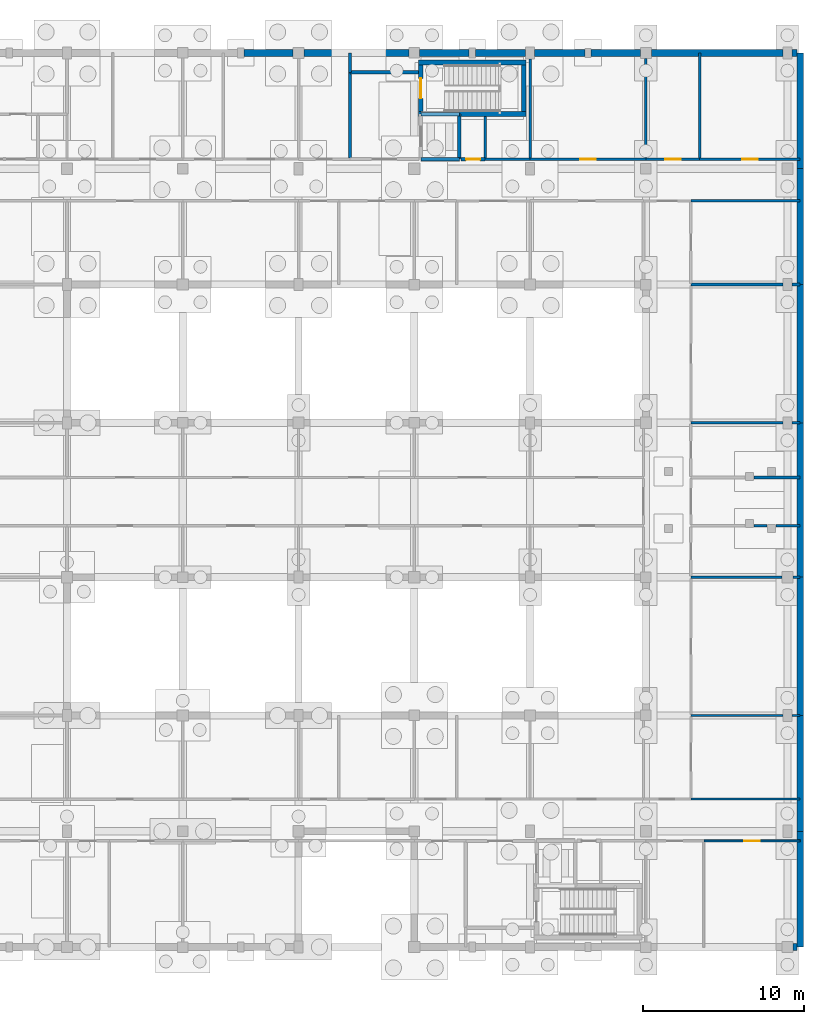
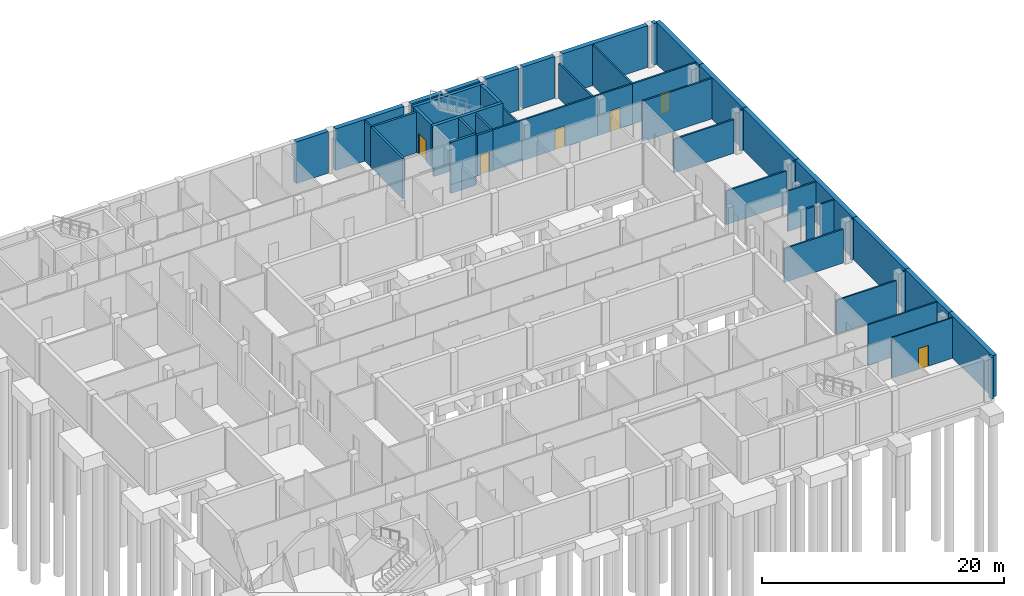
# One storey, part 14 of 17: 51 walls, 6 doors, 6 openings.
"""IFC4 building model written with IfcOpenShell, lengths in metres."""

from ifc_helpers import new_model, si_unit, direction, frame, frame_2d, origin, place, context, subcontext, project, spatial, rectangle, extrude, material, layer, layer_set, type_object, element, fill, save


model = new_model("IFC4")

# Units and contexts
model_context = context("Model", 3, precision=1e-05, world=origin(), true_north=direction((0.0, 1.0)))
body_context = subcontext(model_context, "Body", "Model", "MODEL_VIEW")
ifc_project = project(units=[si_unit("LENGTHUNIT", "METRE"), si_unit("AREAUNIT", "SQUARE_METRE"), si_unit("VOLUMEUNIT", "CUBIC_METRE"), si_unit("PLANEANGLEUNIT", "RADIAN"), si_unit("MASSUNIT", "GRAM", prefix="KILO")], contexts=[model_context])

# Site, building, storey
site_placement = place(None, origin())
site = spatial("IfcSite", under=ifc_project, at=site_placement, CompositionType="ELEMENT")
building_placement = place(site_placement, origin())
building = spatial("IfcBuilding", under=site, at=building_placement, Name="Hawrajan Terrace Health Centre", CompositionType="ELEMENT")
storey_placement = place(building_placement, frame((0.0, 0.0, -4.5)))
storey = spatial("IfcBuildingStorey", under=building, at=storey_placement, Name="B1", CompositionType="ELEMENT", Elevation=-4.5)

# Walls
ifc_material_1 = material(Name="Gypsum board on acoustic stud framing")
ifc_layer_1 = layer(ifc_material_1, 0.139892578125)
ifc_layer_set_1 = layer_set([ifc_layer_1], Name="Gypsum board on acoustic stud framing")
wall_type_1 = type_object("IfcWallType", Name="ClinicalAcousticWall_140", PredefinedType="PARTITIONING", material=ifc_layer_set_1)
wall_1_placement = place(storey_placement, frame((65.0, 13.39990234375, 0.0), z_axis=(0.0, 0.0, 1.0), x_axis=(1.0, 0.0, 0.0)))
element("IfcWall", 1, at=wall_1_placement, inside=storey, type_object=wall_type_1, Name="Interior wall IW-B1-0146", PredefinedType="PARTITIONING", context=body_context, shape_type="SweptSolid", body=[
    extrude(rectangle(XDim=6.794921875, YDim=0.139892578125, at=frame_2d((3.3974609375, 0.0))), origin(), (0.0, 0.0, 1.0), 4.080078125),
])
wall_2_placement = place(storey_placement, frame((65.0, 18.60009765625, 0.0), z_axis=(0.0, 0.0, 1.0), x_axis=(1.0, 0.0, 0.0)))
element("IfcWall", 2, at=wall_2_placement, inside=storey, type_object=wall_type_1, Name="Interior wall IW-B1-0148", PredefinedType="PARTITIONING", context=body_context, shape_type="SweptSolid", body=[
    extrude(rectangle(XDim=5.72509765625, YDim=0.139892578125, at=frame_2d((2.862548828125, 0.0))), origin(), (0.0, 0.0, 1.0), 3.39990234375),
])
wall_3_placement = place(storey_placement, frame((71.27490234375, 18.60009765625, 0.0), z_axis=(0.0, 0.0, 1.0), x_axis=(1.0, 0.0, 0.0)))
element("IfcWall", 3, at=wall_3_placement, inside=storey, type_object=wall_type_1, Name="Interior wall IW-B1-0149", PredefinedType="PARTITIONING", context=body_context, shape_type="SweptSolid", body=[
    extrude(rectangle(XDim=0.52001953125, YDim=0.139892578125, at=frame_2d((0.260009765625, 0.0))), origin(), (0.0, 0.0, 1.0), 4.080078125),
])
ifc_material_2 = material(Name="Concrete C40/50", Category="concrete")
ifc_layer_2 = layer(ifc_material_2, 0.300048828125)
ifc_layer_set_2 = layer_set([ifc_layer_2], Name="Concrete C40/50")
wall_type_2 = type_object("IfcWallType", Name="CoreShearWall_RC300", PredefinedType="SHEAR", material=ifc_layer_set_2)
for number, where, z_axis, x_axis, name in (
    (4, (48.050048828125, 56.0, 0.0), (0.0, 0.0, 1.0), (1.0, 0.0, 0.0), "Core shear wall SW-C2-B1-S"),
    (5, (48.050048828125, 59.199951171875, 0.0), (0.0, 0.0, 1.0), (1.0, 0.0, 0.0), "Core shear wall SW-C2-B1-N"),
):
    element("IfcWall", number, at=place(storey_placement, frame(where, z_axis=z_axis, x_axis=x_axis)), inside=storey, type_object=wall_type_2, Name=name, PredefinedType="SHEAR", context=body_context, shape_type="SweptSolid", body=[
        extrude(rectangle(XDim=6.699951171875, YDim=0.300048828125, at=frame_2d((3.35009765625, 0.0))), origin(), (0.0, 0.0, 1.0), 4.25),
    ])

# Wall, opening, door
wall_4_placement = place(storey_placement, frame((48.199951171875, 56.14990234375, 0.0), z_axis=(0.0, 0.0, 1.0), x_axis=(0.0, 1.0, 0.0)))
wall_4 = element("IfcWall", 6, at=wall_4_placement, inside=storey, type_object=wall_type_2, Name="Core shear wall SW-C2-B1-W", PredefinedType="SHEAR", context=body_context, shape_type="SweptSolid", body=[
    extrude(rectangle(XDim=2.900146484375, YDim=0.300048828125, at=frame_2d((1.4501953125, 0.0))), origin(), (0.0, 0.0, 1.0), 4.25),
])
opening_1_placement = place(wall_4_placement, frame((0.824951171875, 0.0, 0.0)))
opening_1 = element("IfcOpeningElement", 7, at=opening_1_placement, cuts=wall_4, Name="Opening D-B1-002", PredefinedType="OPENING", context=body_context, shape_type="SweptSolid", body=[
    extrude(rectangle(XDim=1.25, YDim=2.14990234375, at=frame_2d((0.625, 1.074951171875))), frame((0.0, 0.159912109375, 0.0), z_axis=(0.0, -1.0, 0.0), x_axis=(1.0, 0.0, 0.0)), (0.0, 0.0, 1.0), 0.320068359375),
])
ifc_material_3 = material(Name="Timber-veneered acoustic fire-resisting door assembly", Category="wood")
door_type_1 = type_object("IfcDoorType", Name="CoreStairDoor_1250x2150", OperationType="NOTDEFINED", PredefinedType="DOOR", material=ifc_material_3)
door_1_placement = place(opening_1_placement, origin())
door_1 = element("IfcDoor", 8, at=door_1_placement, inside=storey, type_object=door_type_1, Name="Interior door D-B1-002", OperationType="SINGLE_SWING_RIGHT", OverallHeight=2.14990234375, OverallWidth=1.25, PredefinedType="DOOR", context=body_context, shape_type="SweptSolid", body=[
    extrude(rectangle(XDim=1.25, YDim=2.14990234375, at=frame_2d((0.625, 1.074951171875))), frame((0.0, 0.02490234375, 0.0), z_axis=(0.0, -1.0, 0.0), x_axis=(1.0, 0.0, 0.0)), (0.0, 0.0, 1.0), 0.050048828125),
])
fill(opening_1, door_1)

# Wall
wall_5_placement = place(storey_placement, frame((54.60009765625, 56.14990234375, 0.0), z_axis=(0.0, 0.0, 1.0), x_axis=(0.0, 1.0, 0.0)))
element("IfcWall", 9, at=wall_5_placement, inside=storey, type_object=wall_type_2, Name="Core shear wall SW-C2-B1-E", PredefinedType="SHEAR", context=body_context, shape_type="SweptSolid", body=[
    extrude(rectangle(XDim=2.900146484375, YDim=0.300048828125, at=frame_2d((1.4501953125, 0.0))), origin(), (0.0, 0.0, 1.0), 4.25),
])

# Wall, opening, door
ifc_layer_3 = layer(ifc_material_1, 0.159912109375)
ifc_layer_set_3 = layer_set([ifc_layer_3], Name="Gypsum board on acoustic stud framing")
wall_type_3 = type_object("IfcWallType", Name="CorridorFireWall_160", PredefinedType="PARTITIONING", material=ifc_layer_set_3)
wall_6_placement = place(storey_placement, frame((55.0, 53.199951171875, 0.0), z_axis=(0.0, 0.0, 1.0), x_axis=(1.0, 0.0, 0.0)))
wall_6 = element("IfcWall", 10, at=wall_6_placement, inside=storey, type_object=wall_type_3, Name="Interior wall IW-B1-0133", PredefinedType="PARTITIONING", context=body_context, shape_type="SweptSolid", body=[
    extrude(rectangle(XDim=7.199951171875, YDim=0.159912109375, at=frame_2d((3.60009765625, 0.0))), origin(), (0.0, 0.0, 1.0), 4.080078125),
])
opening_2_placement = place(wall_6_placement, frame((3.1201171875, 0.0, 0.0)))
opening_2 = element("IfcOpeningElement", 11, at=opening_2_placement, cuts=wall_6, Name="Opening D-B1-064", PredefinedType="OPENING", context=body_context, shape_type="SweptSolid", body=[
    extrude(rectangle(XDim=0.9599609375, YDim=2.10009765625, at=frame_2d((0.47998046875, 1.050048828125))), frame((0.0, 0.08984375, 0.0), z_axis=(0.0, -1.0, 0.0), x_axis=(1.0, 0.0, 0.0)), (0.0, 0.0, 1.0), 0.179931640625),
])
door_type_2 = type_object("IfcDoorType", Name="ClinicalFireDoor_960x2100", OperationType="NOTDEFINED", PredefinedType="DOOR", material=ifc_material_3)
door_2_placement = place(opening_2_placement, origin())
door_2 = element("IfcDoor", 12, at=door_2_placement, inside=storey, type_object=door_type_2, Name="Interior door D-B1-064", OperationType="SINGLE_SWING_RIGHT", OverallHeight=2.10009765625, OverallWidth=0.9599609375, PredefinedType="DOOR", context=body_context, shape_type="SweptSolid", body=[
    extrude(rectangle(XDim=0.9599609375, YDim=2.10009765625, at=frame_2d((0.47998046875, 1.050048828125))), frame((0.0, 0.02490234375, 0.0), z_axis=(0.0, -1.0, 0.0), x_axis=(1.0, 0.0, 0.0)), (0.0, 0.0, 1.0), 0.050048828125),
])
fill(opening_2, door_2)

# Wall
wall_7_placement = place(storey_placement, frame((62.199951171875, 53.27001953125, 0.0), z_axis=(0.0, 0.0, 1.0), x_axis=(0.0, 1.0, 0.0)))
element("IfcWall", 13, at=wall_7_placement, inside=storey, type_object=wall_type_3, Name="Interior wall IW-B1-0143", PredefinedType="PARTITIONING", context=body_context, shape_type="SweptSolid", body=[
    extrude(rectangle(XDim=6.179931640625, YDim=0.159912109375, at=frame_2d((3.08984375, 0.0))), origin(), (0.0, 0.0, 1.0), 3.5),
])

# Wall, opening, door
wall_8_placement = place(storey_placement, frame((62.199951171875, 53.199951171875, 0.0), z_axis=(0.0, 0.0, 1.0), x_axis=(1.0, 0.0, 0.0)))
wall_8 = element("IfcWall", 14, at=wall_8_placement, inside=storey, type_object=wall_type_3, Name="Interior wall IW-B1-0144", PredefinedType="PARTITIONING", context=body_context, shape_type="SweptSolid", body=[
    extrude(rectangle(XDim=3.34912109375, YDim=0.159912109375, at=frame_2d((1.674560546875, 0.0))), origin(), (0.0, 0.0, 1.0), 4.080078125),
])
opening_3_placement = place(wall_8_placement, frame((1.194580078125, 0.0, 0.0)))
opening_3 = element("IfcOpeningElement", 15, at=opening_3_placement, cuts=wall_8, Name="Opening D-B1-066", PredefinedType="OPENING", context=body_context, shape_type="SweptSolid", body=[
    extrude(rectangle(XDim=0.9599609375, YDim=2.10009765625, at=frame_2d((0.47998046875, 1.050048828125))), frame((0.0, 0.08984375, 0.0), z_axis=(0.0, -1.0, 0.0), x_axis=(1.0, 0.0, 0.0)), (0.0, 0.0, 1.0), 0.179931640625),
])
door_3_placement = place(opening_3_placement, origin())
door_3 = element("IfcDoor", 16, at=door_3_placement, inside=storey, type_object=door_type_2, Name="Interior door D-B1-066", OperationType="SINGLE_SWING_RIGHT", OverallHeight=2.10009765625, OverallWidth=0.9599609375, PredefinedType="DOOR", context=body_context, shape_type="SweptSolid", body=[
    extrude(rectangle(XDim=0.9599609375, YDim=2.10009765625, at=frame_2d((0.47998046875, 1.050048828125))), frame((0.0, 0.02490234375, 0.0), z_axis=(0.0, -1.0, 0.0), x_axis=(1.0, 0.0, 0.0)), (0.0, 0.0, 1.0), 0.050048828125),
])
fill(opening_3, door_3)

# Walls
wall_9_placement = place(storey_placement, frame((65.0, 27.199951171875, 0.0), z_axis=(0.0, 0.0, 1.0), x_axis=(1.0, 0.0, 0.0)))
element("IfcWall", 17, at=wall_9_placement, inside=storey, type_object=wall_type_3, Name="Interior wall IW-B1-0151", PredefinedType="PARTITIONING", context=body_context, shape_type="SweptSolid", body=[
    extrude(rectangle(XDim=5.64990234375, YDim=0.159912109375, at=frame_2d((2.824951171875, 0.0))), origin(), (0.0, 0.0, 1.0), 3.39990234375),
])
wall_10_placement = place(storey_placement, frame((71.35009765625, 27.199951171875, 0.0), z_axis=(0.0, 0.0, 1.0), x_axis=(1.0, 0.0, 0.0)))
element("IfcWall", 18, at=wall_10_placement, inside=storey, type_object=wall_type_3, Name="Interior wall IW-B1-0152", PredefinedType="PARTITIONING", context=body_context, shape_type="SweptSolid", body=[
    extrude(rectangle(XDim=0.44482421875, YDim=0.159912109375, at=frame_2d((0.222412109375, 0.0))), origin(), (0.0, 0.0, 1.0), 4.080078125),
])
wall_11_placement = place(storey_placement, frame((68.929931640625, 30.39990234375, 0.0), z_axis=(0.0, 0.0, 1.0), x_axis=(1.0, 0.0, 0.0)))
element("IfcWall", 19, at=wall_11_placement, inside=storey, type_object=wall_type_3, Name="Interior wall IW-B1-0155", PredefinedType="PARTITIONING", context=body_context, shape_type="SweptSolid", body=[
    extrude(rectangle(XDim=0.7900390625, YDim=0.159912109375, at=frame_2d((0.39501953125, 0.0))), origin(), (0.0, 0.0, 1.0), 4.080078125),
])
wall_12_placement = place(storey_placement, frame((70.280029296875, 30.39990234375, 0.0), z_axis=(0.0, 0.0, 1.0), x_axis=(1.0, 0.0, 0.0)))
element("IfcWall", 20, at=wall_12_placement, inside=storey, type_object=wall_type_3, Name="Interior wall IW-B1-0156", PredefinedType="PARTITIONING", context=body_context, shape_type="SweptSolid", body=[
    extrude(rectangle(XDim=1.514892578125, YDim=0.159912109375, at=frame_2d((0.75732421875, 0.0))), origin(), (0.0, 0.0, 1.0), 4.080078125),
])
wall_13_placement = place(storey_placement, frame((68.929931640625, 33.39990234375, 0.0), z_axis=(0.0, 0.0, 1.0), x_axis=(1.0, 0.0, 0.0)))
element("IfcWall", 21, at=wall_13_placement, inside=storey, type_object=wall_type_3, Name="Interior wall IW-B1-0159", PredefinedType="PARTITIONING", context=body_context, shape_type="SweptSolid", body=[
    extrude(rectangle(XDim=2.864990234375, YDim=0.159912109375, at=frame_2d((1.4326171875, 0.0))), origin(), (0.0, 0.0, 1.0), 4.080078125),
])
wall_14_placement = place(storey_placement, frame((65.0, 36.800048828125, 0.0), z_axis=(0.0, 0.0, 1.0), x_axis=(1.0, 0.0, 0.0)))
element("IfcWall", 22, at=wall_14_placement, inside=storey, type_object=wall_type_3, Name="Interior wall IW-B1-0161", PredefinedType="PARTITIONING", context=body_context, shape_type="SweptSolid", body=[
    extrude(rectangle(XDim=5.72509765625, YDim=0.159912109375, at=frame_2d((2.862548828125, 0.0))), origin(), (0.0, 0.0, 1.0), 3.39990234375),
])
wall_15_placement = place(storey_placement, frame((71.27490234375, 36.800048828125, 0.0), z_axis=(0.0, 0.0, 1.0), x_axis=(1.0, 0.0, 0.0)))
element("IfcWall", 23, at=wall_15_placement, inside=storey, type_object=wall_type_3, Name="Interior wall IW-B1-0162", PredefinedType="PARTITIONING", context=body_context, shape_type="SweptSolid", body=[
    extrude(rectangle(XDim=0.52001953125, YDim=0.159912109375, at=frame_2d((0.260009765625, 0.0))), origin(), (0.0, 0.0, 1.0), 4.080078125),
])
wall_16_placement = place(storey_placement, frame((65.0, 45.39990234375, 0.0), z_axis=(0.0, 0.0, 1.0), x_axis=(1.0, 0.0, 0.0)))
element("IfcWall", 24, at=wall_16_placement, inside=storey, type_object=wall_type_3, Name="Interior wall IW-B1-0164", PredefinedType="PARTITIONING", context=body_context, shape_type="SweptSolid", body=[
    extrude(rectangle(XDim=5.72509765625, YDim=0.159912109375, at=frame_2d((2.862548828125, 0.0))), origin(), (0.0, 0.0, 1.0), 3.39990234375),
])
wall_17_placement = place(storey_placement, frame((71.27490234375, 45.39990234375, 0.0), z_axis=(0.0, 0.0, 1.0), x_axis=(1.0, 0.0, 0.0)))
element("IfcWall", 25, at=wall_17_placement, inside=storey, type_object=wall_type_3, Name="Interior wall IW-B1-0165", PredefinedType="PARTITIONING", context=body_context, shape_type="SweptSolid", body=[
    extrude(rectangle(XDim=0.52001953125, YDim=0.159912109375, at=frame_2d((0.260009765625, 0.0))), origin(), (0.0, 0.0, 1.0), 4.080078125),
])
wall_18_placement = place(storey_placement, frame((65.0, 50.60009765625, 0.0), z_axis=(0.0, 0.0, 1.0), x_axis=(1.0, 0.0, 0.0)))
element("IfcWall", 26, at=wall_18_placement, inside=storey, type_object=wall_type_3, Name="Interior wall IW-B1-0166", PredefinedType="PARTITIONING", context=body_context, shape_type="SweptSolid", body=[
    extrude(rectangle(XDim=6.794921875, YDim=0.159912109375, at=frame_2d((3.3974609375, 0.0))), origin(), (0.0, 0.0, 1.0), 4.080078125),
])
wall_19_placement = place(storey_placement, frame((65.549072265625, 53.27001953125, 0.0), z_axis=(0.0, 0.0, 1.0), x_axis=(0.0, 1.0, 0.0)))
element("IfcWall", 27, at=wall_19_placement, inside=storey, type_object=wall_type_3, Name="Interior wall IW-B1-0167", PredefinedType="PARTITIONING", context=body_context, shape_type="SweptSolid", body=[
    extrude(rectangle(XDim=6.530029296875, YDim=0.159912109375, at=frame_2d((3.26513671875, 0.0))), origin(), (0.0, 0.0, 1.0), 4.080078125),
])

# Wall, opening, door
wall_20_placement = place(storey_placement, frame((65.549072265625, 53.199951171875, 0.0), z_axis=(0.0, 0.0, 1.0), x_axis=(1.0, 0.0, 0.0)))
wall_20 = element("IfcWall", 28, at=wall_20_placement, inside=storey, type_object=wall_type_3, Name="Interior wall IW-B1-0168", PredefinedType="PARTITIONING", context=body_context, shape_type="SweptSolid", body=[
    extrude(rectangle(XDim=6.245849609375, YDim=0.159912109375, at=frame_2d((3.123046875, 0.0))), origin(), (0.0, 0.0, 1.0), 4.080078125),
])
opening_4_placement = place(wall_20_placement, frame((2.64306640625, 0.0, 0.0)))
opening_4 = element("IfcOpeningElement", 29, at=opening_4_placement, cuts=wall_20, Name="Opening D-B1-067", PredefinedType="OPENING", context=body_context, shape_type="SweptSolid", body=[
    extrude(rectangle(XDim=0.9599609375, YDim=2.10009765625, at=frame_2d((0.47998046875, 1.050048828125))), frame((0.0, 0.08984375, 0.0), z_axis=(0.0, -1.0, 0.0), x_axis=(1.0, 0.0, 0.0)), (0.0, 0.0, 1.0), 0.179931640625),
])
door_4_placement = place(opening_4_placement, origin())
door_4 = element("IfcDoor", 30, at=door_4_placement, inside=storey, type_object=door_type_2, Name="Interior door D-B1-067", OperationType="SINGLE_SWING_LEFT", OverallHeight=2.10009765625, OverallWidth=0.9599609375, PredefinedType="DOOR", context=body_context, shape_type="SweptSolid", body=[
    extrude(rectangle(XDim=0.9599609375, YDim=2.10009765625, at=frame_2d((0.47998046875, 1.050048828125))), frame((0.0, 0.02490234375, 0.0), z_axis=(0.0, -1.0, 0.0), x_axis=(1.0, 0.0, 0.0)), (0.0, 0.0, 1.0), 0.050048828125),
])
fill(opening_4, door_4)

# Walls
wall_21_placement = place(storey_placement, frame((52.199951171875, 53.27001953125, 0.0), z_axis=(0.0, 0.0, 1.0), x_axis=(0.0, 1.0, 0.0)))
element("IfcWall", 31, at=wall_21_placement, inside=storey, type_object=wall_type_3, Name="Interior wall IW-B1-0172", PredefinedType="PARTITIONING", context=body_context, shape_type="SweptSolid", body=[
    extrude(rectangle(XDim=2.590087890625, YDim=0.159912109375, at=frame_2d((1.294921875, 0.0))), origin(), (0.0, 0.0, 1.0), 4.080078125),
])
wall_22_placement = place(storey_placement, frame((55.0, 53.199951171875, 0.0), z_axis=(0.0, 0.0, 1.0), x_axis=(-1.0, 0.0, 0.0)))
element("IfcWall", 32, at=wall_22_placement, inside=storey, type_object=wall_type_3, Name="Interior wall IW-B1-0182", PredefinedType="PARTITIONING", context=body_context, shape_type="SweptSolid", body=[
    extrude(rectangle(XDim=2.800048828125, YDim=0.159912109375, at=frame_2d((1.39990234375, 0.0))), origin(), (0.0, 0.0, 1.0), 4.080078125),
])
wall_23_placement = place(storey_placement, frame((43.800048828125, 58.60009765625, 0.0), z_axis=(0.0, 0.0, 1.0), x_axis=(0.0, 1.0, 0.0)))
element("IfcWall", 33, at=wall_23_placement, inside=storey, type_object=wall_type_3, Name="Interior wall IW-B1-0193", PredefinedType="PARTITIONING", context=body_context, shape_type="SweptSolid", body=[
    extrude(rectangle(XDim=1.199951171875, YDim=0.159912109375, at=frame_2d((0.60009765625, 0.0))), origin(), (0.0, 0.0, 1.0), 4.080078125),
])
wall_24_placement = place(storey_placement, frame((55.0, 53.27001953125, 0.0), z_axis=(0.0, 0.0, 1.0), x_axis=(0.0, 1.0, 0.0)))
element("IfcWall", 34, at=wall_24_placement, inside=storey, type_object=wall_type_3, Name="Interior wall IW-B1-0194", PredefinedType="PARTITIONING", context=body_context, shape_type="SweptSolid", body=[
    extrude(rectangle(XDim=6.155029296875, YDim=0.159912109375, at=frame_2d((3.07763671875, 0.0))), origin(), (0.0, 0.0, 1.0), 3.5),
])
ifc_material_4 = material(Name="Cross-laminated timber CLT C24", Category="wood")
ifc_layer_4 = layer(ifc_material_4, 0.199951171875)
ifc_layer_set_4 = layer_set([ifc_layer_4], Name="Cross-laminated timber CLT C24")
wall_type_4 = type_object("IfcWallType", Name="FireCompartmentWall_200", PredefinedType="PARTITIONING", material=ifc_layer_set_4)
wall_25_placement = place(storey_placement, frame((43.800048828125, 53.27001953125, 0.0), z_axis=(0.0, 0.0, 1.0), x_axis=(0.0, 1.0, 0.0)))
element("IfcWall", 35, at=wall_25_placement, inside=storey, type_object=wall_type_4, Name="Interior wall IW-B1-0107", PredefinedType="PARTITIONING", context=body_context, shape_type="SweptSolid", body=[
    extrude(rectangle(XDim=5.330078125, YDim=0.199951171875, at=frame_2d((2.6650390625, 0.0))), origin(), (0.0, 0.0, 1.0), 4.080078125),
])
wall_26_placement = place(storey_placement, frame((48.06005859375, 58.60009765625, 0.0), z_axis=(0.0, 0.0, 1.0), x_axis=(-1.0, 0.0, 0.0)))
element("IfcWall", 36, at=wall_26_placement, inside=storey, type_object=wall_type_4, Name="Interior wall IW-B1-0176", PredefinedType="PARTITIONING", context=body_context, shape_type="SweptSolid", body=[
    extrude(rectangle(XDim=4.260009765625, YDim=0.199951171875, at=frame_2d((2.1298828125, 0.0))), origin(), (0.0, 0.0, 1.0), 4.080078125),
])
ifc_layer_5 = layer(ifc_material_2, 0.419921875)
ifc_layer_set_5 = layer_set([ifc_layer_5], Name="Concrete C40/50")
wall_type_5 = type_object("IfcWallType", Name="RetainingWall_RC420", PredefinedType="USERDEFINED", material=ifc_layer_set_5)
wall_27_placement = place(storey_placement, frame((37.199951171875, 59.800048828125, 0.0), z_axis=(0.0, 0.0, 1.0), x_axis=(1.0, 0.0, 0.0)))
element("IfcWall", 37, at=wall_27_placement, inside=storey, type_object=wall_type_5, Name="Exterior wall EW-B1-H04-07-2", ObjectType="RETAINING WALL", PredefinedType="USERDEFINED", context=body_context, shape_type="SweptSolid", body=[
    extrude(rectangle(XDim=3.050048828125, YDim=0.419921875, at=frame_2d((1.52490234375, 0.0))), origin(), (0.0, 0.0, 1.0), 4.199951171875),
])
wall_28_placement = place(storey_placement, frame((40.949951171875, 59.800048828125, 0.0), z_axis=(0.0, 0.0, 1.0), x_axis=(1.0, 0.0, 0.0)))
element("IfcWall", 38, at=wall_28_placement, inside=storey, type_object=wall_type_5, Name="Exterior wall EW-B1-H05-07-1", ObjectType="RETAINING WALL", PredefinedType="USERDEFINED", context=body_context, shape_type="SweptSolid", body=[
    extrude(rectangle(XDim=6.525146484375, YDim=0.419921875, at=frame_2d((3.2626953125, 0.0))), origin(), (0.0, 0.0, 1.0), 4.199951171875),
])
wall_29_placement = place(storey_placement, frame((48.125, 59.800048828125, 0.0), z_axis=(0.0, 0.0, 1.0), x_axis=(1.0, 0.0, 0.0)))
element("IfcWall", 39, at=wall_29_placement, inside=storey, type_object=wall_type_5, Name="Exterior wall EW-B1-H06-07-1", ObjectType="RETAINING WALL", PredefinedType="USERDEFINED", context=body_context, shape_type="SweptSolid", body=[
    extrude(rectangle(XDim=3.074951171875, YDim=0.419921875, at=frame_2d((1.53759765625, 0.0))), origin(), (0.0, 0.0, 1.0), 4.199951171875),
])
wall_30_placement = place(storey_placement, frame((51.60009765625, 59.800048828125, 0.0), z_axis=(0.0, 0.0, 1.0), x_axis=(1.0, 0.0, 0.0)))
element("IfcWall", 40, at=wall_30_placement, inside=storey, type_object=wall_type_5, Name="Exterior wall EW-B1-H06-07-2", ObjectType="RETAINING WALL", PredefinedType="USERDEFINED", context=body_context, shape_type="SweptSolid", body=[
    extrude(rectangle(XDim=3.125, YDim=0.419921875, at=frame_2d((1.5625, 0.0))), origin(), (0.0, 0.0, 1.0), 4.199951171875),
])
wall_31_placement = place(storey_placement, frame((55.27490234375, 59.800048828125, 0.0), z_axis=(0.0, 0.0, 1.0), x_axis=(1.0, 0.0, 0.0)))
element("IfcWall", 41, at=wall_31_placement, inside=storey, type_object=wall_type_5, Name="Exterior wall EW-B1-H07-07-1", ObjectType="RETAINING WALL", PredefinedType="USERDEFINED", context=body_context, shape_type="SweptSolid", body=[
    extrude(rectangle(XDim=3.150146484375, YDim=0.419921875, at=frame_2d((1.5751953125, 0.0))), origin(), (0.0, 0.0, 1.0), 4.199951171875),
])
wall_32_placement = place(storey_placement, frame((58.77490234375, 59.800048828125, 0.0), z_axis=(0.0, 0.0, 1.0), x_axis=(1.0, 0.0, 0.0)))
element("IfcWall", 42, at=wall_32_placement, inside=storey, type_object=wall_type_5, Name="Exterior wall EW-B1-H07-07-2", ObjectType="RETAINING WALL", PredefinedType="USERDEFINED", context=body_context, shape_type="SweptSolid", body=[
    extrude(rectangle(XDim=3.0751953125, YDim=0.419921875, at=frame_2d((1.53759765625, 0.0))), origin(), (0.0, 0.0, 1.0), 4.199951171875),
])
wall_33_placement = place(storey_placement, frame((71.35009765625, 4.199951171875, 0.0), z_axis=(0.0, 0.0, 1.0), x_axis=(1.0, 0.0, 0.0)))
element("IfcWall", 43, at=wall_33_placement, inside=storey, type_object=wall_type_5, Name="Exterior wall EW-B1-H08-00-2", ObjectType="RETAINING WALL", PredefinedType="USERDEFINED", context=body_context, shape_type="SweptSolid", body=[
    extrude(rectangle(XDim=0.2548828125, YDim=0.419921875, at=frame_2d((0.12744140625, 0.0))), origin(), (0.0, 0.0, 1.0), 4.199951171875),
])
wall_34_placement = place(storey_placement, frame((71.794921875, 4.199951171875, 0.0), z_axis=(0.0, 0.0, 1.0), x_axis=(0.0, 1.0, 0.0)))
element("IfcWall", 44, at=wall_34_placement, inside=storey, type_object=wall_type_5, Name="Exterior wall EW-B1-V09-00-1", ObjectType="RETAINING WALL", PredefinedType="USERDEFINED", context=body_context, shape_type="SweptSolid", body=[
    extrude(rectangle(XDim=7.199951171875, YDim=0.419921875, at=frame_2d((3.60009765625, 0.0))), origin(), (0.0, 0.0, 1.0), 4.199951171875),
])
wall_35_placement = place(storey_placement, frame((71.794921875, 11.39990234375, 0.0), z_axis=(0.0, 0.0, 1.0), x_axis=(0.0, 1.0, 0.0)))
element("IfcWall", 45, at=wall_35_placement, inside=storey, type_object=wall_type_5, Name="Exterior wall EW-B1-V09-01-1", ObjectType="RETAINING WALL", PredefinedType="USERDEFINED", context=body_context, shape_type="SweptSolid", body=[
    extrude(rectangle(XDim=7.2001953125, YDim=0.419921875, at=frame_2d((3.60009765625, 0.0))), origin(), (0.0, 0.0, 1.0), 4.199951171875),
])
wall_36_placement = place(storey_placement, frame((71.794921875, 18.60009765625, 0.0), z_axis=(0.0, 0.0, 1.0), x_axis=(0.0, 1.0, 0.0)))
element("IfcWall", 46, at=wall_36_placement, inside=storey, type_object=wall_type_5, Name="Exterior wall EW-B1-V09-02-1", ObjectType="RETAINING WALL", PredefinedType="USERDEFINED", context=body_context, shape_type="SweptSolid", body=[
    extrude(rectangle(XDim=8.599853515625, YDim=0.419921875, at=frame_2d((4.2998046875, 0.0))), origin(), (0.0, 0.0, 1.0), 4.199951171875),
])
wall_37_placement = place(storey_placement, frame((71.794921875, 27.199951171875, 0.0), z_axis=(0.0, 0.0, 1.0), x_axis=(0.0, 1.0, 0.0)))
element("IfcWall", 47, at=wall_37_placement, inside=storey, type_object=wall_type_5, Name="Exterior wall EW-B1-V09-03-1", ObjectType="RETAINING WALL", PredefinedType="USERDEFINED", context=body_context, shape_type="SweptSolid", body=[
    extrude(rectangle(XDim=9.60009765625, YDim=0.419921875, at=frame_2d((4.800048828125, 0.0))), origin(), (0.0, 0.0, 1.0), 4.199951171875),
])
wall_38_placement = place(storey_placement, frame((71.794921875, 36.800048828125, 0.0), z_axis=(0.0, 0.0, 1.0), x_axis=(0.0, 1.0, 0.0)))
element("IfcWall", 48, at=wall_38_placement, inside=storey, type_object=wall_type_5, Name="Exterior wall EW-B1-V09-04-1", ObjectType="RETAINING WALL", PredefinedType="USERDEFINED", context=body_context, shape_type="SweptSolid", body=[
    extrude(rectangle(XDim=8.599853515625, YDim=0.419921875, at=frame_2d((4.2998046875, 0.0))), origin(), (0.0, 0.0, 1.0), 4.199951171875),
])
wall_39_placement = place(storey_placement, frame((71.794921875, 45.39990234375, 0.0), z_axis=(0.0, 0.0, 1.0), x_axis=(0.0, 1.0, 0.0)))
element("IfcWall", 49, at=wall_39_placement, inside=storey, type_object=wall_type_5, Name="Exterior wall EW-B1-V09-05-1", ObjectType="RETAINING WALL", PredefinedType="USERDEFINED", context=body_context, shape_type="SweptSolid", body=[
    extrude(rectangle(XDim=7.2001953125, YDim=0.419921875, at=frame_2d((3.60009765625, 0.0))), origin(), (0.0, 0.0, 1.0), 4.199951171875),
])
wall_40_placement = place(storey_placement, frame((62.550048828125, 59.800048828125, 0.0), z_axis=(0.0, 0.0, 1.0), x_axis=(1.0, 0.0, 0.0)))
element("IfcWall", 50, at=wall_40_placement, inside=storey, type_object=wall_type_5, Name="Exterior wall EW-B1-H08-07-1", ObjectType="RETAINING WALL", PredefinedType="USERDEFINED", context=body_context, shape_type="SweptSolid", body=[
    extrude(rectangle(XDim=8.175048828125, YDim=0.419921875, at=frame_2d((4.08740234375, 0.0))), origin(), (0.0, 0.0, 1.0), 4.199951171875),
])
wall_41_placement = place(storey_placement, frame((71.27490234375, 59.800048828125, 0.0), z_axis=(0.0, 0.0, 1.0), x_axis=(1.0, 0.0, 0.0)))
element("IfcWall", 51, at=wall_41_placement, inside=storey, type_object=wall_type_5, Name="Exterior wall EW-B1-H08-07-2", ObjectType="RETAINING WALL", PredefinedType="USERDEFINED", context=body_context, shape_type="SweptSolid", body=[
    extrude(rectangle(XDim=0.330078125, YDim=0.419921875, at=frame_2d((0.1650390625, 0.0))), origin(), (0.0, 0.0, 1.0), 4.199951171875),
])
wall_42_placement = place(storey_placement, frame((71.794921875, 52.60009765625, 0.0), z_axis=(0.0, 0.0, 1.0), x_axis=(0.0, 1.0, 0.0)))
element("IfcWall", 52, at=wall_42_placement, inside=storey, type_object=wall_type_5, Name="Exterior wall EW-B1-V09-06-1", ObjectType="RETAINING WALL", PredefinedType="USERDEFINED", context=body_context, shape_type="SweptSolid", body=[
    extrude(rectangle(XDim=7.199951171875, YDim=0.419921875, at=frame_2d((3.60009765625, 0.0))), origin(), (0.0, 0.0, 1.0), 4.199951171875),
])
ifc_layer_6 = layer(ifc_material_2, 0.219970703125)
ifc_layer_set_6 = layer_set([ifc_layer_6], Name="Concrete C40/50")
wall_type_6 = type_object("IfcWallType", Name="ShaftWall_RC220", PredefinedType="SOLIDWALL", material=ifc_layer_set_6)
wall_43_placement = place(storey_placement, frame((48.199951171875, 53.199951171875, 0.0), z_axis=(0.0, 0.0, 1.0), x_axis=(1.0, 0.0, 0.0)))
element("IfcWall", 53, at=wall_43_placement, inside=storey, type_object=wall_type_6, Name="Lift shaft wall LW-LC-03-B1-S", PredefinedType="SOLIDWALL", context=body_context, shape_type="SweptSolid", body=[
    extrude(rectangle(XDim=2.400146484375, YDim=0.219970703125, at=frame_2d((1.2001953125, 0.0))), origin(), (0.0, 0.0, 1.0), 4.25),
])
wall_44_placement = place(storey_placement, frame((50.60009765625, 53.31005859375, 0.0), z_axis=(0.0, 0.0, 1.0), x_axis=(0.0, 1.0, 0.0)))
element("IfcWall", 54, at=wall_44_placement, inside=storey, type_object=wall_type_6, Name="Lift shaft wall LW-LC-03-B1-E", PredefinedType="SOLIDWALL", context=body_context, shape_type="SweptSolid", body=[
    extrude(rectangle(XDim=2.579833984375, YDim=0.219970703125, at=frame_2d((1.2900390625, 0.0))), origin(), (0.0, 0.0, 1.0), 4.25),
])
wall_45_placement = place(storey_placement, frame((50.60009765625, 53.199951171875, -0.89990234375), z_axis=(0.0, 0.0, 1.0), x_axis=(0.0, 1.0, 0.0)))
element("IfcWall", 55, at=wall_45_placement, inside=storey, type_object=wall_type_6, Name="Lift pit wall LC-03-E", PredefinedType="SOLIDWALL", context=body_context, shape_type="SweptSolid", body=[
    extrude(rectangle(XDim=2.800048828125, YDim=0.219970703125, at=frame_2d((1.39990234375, 0.0))), origin(), (0.0, 0.0, 1.0), 0.89990234375),
])
for number, where, z_axis, x_axis, name in (
    (56, (48.199951171875, 53.199951171875, -0.89990234375), (0.0, 0.0, 1.0), (1.0, 0.0, 0.0), "Lift pit wall LC-03-S"),
    (57, (48.199951171875, 56.0, -0.89990234375), (0.0, 0.0, 1.0), (1.0, 0.0, 0.0), "Lift pit wall LC-03-N"),
):
    element("IfcWall", number, at=place(storey_placement, frame(where, z_axis=z_axis, x_axis=x_axis)), inside=storey, type_object=wall_type_6, Name=name, PredefinedType="SOLIDWALL", context=body_context, shape_type="SweptSolid", body=[
        extrude(rectangle(XDim=2.400146484375, YDim=0.219970703125, at=frame_2d((1.2001953125, 0.0))), origin(), (0.0, 0.0, 1.0), 0.89990234375),
    ])

# Wall, opening, door
wall_46_placement = place(storey_placement, frame((50.7099609375, 53.199951171875, 0.0), z_axis=(0.0, 0.0, 1.0), x_axis=(1.0, 0.0, 0.0)))
wall_46 = element("IfcWall", 58, at=wall_46_placement, inside=storey, type_object=wall_type_6, Name="Interior wall IW-B1-0122", PredefinedType="SOLIDWALL", context=body_context, shape_type="SweptSolid", body=[
    extrude(rectangle(XDim=1.489990234375, YDim=0.219970703125, at=frame_2d((0.7451171875, 0.0))), origin(), (0.0, 0.0, 1.0), 4.080078125),
])
opening_5_placement = place(wall_46_placement, frame((0.304931640625, 0.0, 0.0)))
opening_5 = element("IfcOpeningElement", 59, at=opening_5_placement, cuts=wall_46, Name="Opening D-B1-022", PredefinedType="OPENING", context=body_context, shape_type="SweptSolid", body=[
    extrude(rectangle(XDim=0.8798828125, YDim=2.050048828125, at=frame_2d((0.43994140625, 1.02490234375))), frame((0.0, 0.119873046875, 0.0), z_axis=(0.0, -1.0, 0.0), x_axis=(1.0, 0.0, 0.0)), (0.0, 0.0, 1.0), 0.239990234375),
])
door_type_3 = type_object("IfcDoorType", Name="RiserAccessDoor_880x2050", OperationType="NOTDEFINED", PredefinedType="DOOR", material=ifc_material_3)
door_5_placement = place(opening_5_placement, origin())
door_5 = element("IfcDoor", 60, at=door_5_placement, inside=storey, type_object=door_type_3, Name="Service riser access door D-B1-022", OperationType="SINGLE_SWING_RIGHT", OverallHeight=2.050048828125, OverallWidth=0.8798828125, PredefinedType="DOOR", context=body_context, shape_type="SweptSolid", body=[
    extrude(rectangle(XDim=0.8798828125, YDim=2.050048828125, at=frame_2d((0.43994140625, 1.02490234375))), frame((0.0, 0.02490234375, 0.0), z_axis=(0.0, -1.0, 0.0), x_axis=(1.0, 0.0, 0.0)), (0.0, 0.0, 1.0), 0.050048828125),
])
fill(opening_5, door_5)

ifc_material_5 = material(Name="Moisture-resistant board on stud framing")
ifc_layer_7 = layer(ifc_material_5, 0.1201171875)
ifc_layer_set_7 = layer_set([ifc_layer_7], Name="Moisture-resistant board on stud framing")
wall_type_7 = type_object("IfcWallType", Name="WetRoomPartition_120", PredefinedType="PLUMBINGWALL", material=ifc_layer_set_7)
wall_47_placement = place(storey_placement, frame((65.800048828125, 10.800048828125, 0.0), z_axis=(0.0, 0.0, 1.0), x_axis=(1.0, 0.0, 0.0)))
wall_47 = element("IfcWall", 61, at=wall_47_placement, inside=storey, type_object=wall_type_7, Name="Interior wall IW-B1-0170", PredefinedType="PLUMBINGWALL", context=body_context, shape_type="SweptSolid", body=[
    extrude(rectangle(XDim=5.994873046875, YDim=0.1201171875, at=frame_2d((2.99755859375, 0.0))), origin(), (0.0, 0.0, 1.0), 4.080078125),
])
opening_6_placement = place(wall_47_placement, frame((2.5224609375, 0.0, 0.0)))
opening_6 = element("IfcOpeningElement", 62, at=opening_6_placement, cuts=wall_47, Name="Opening D-B1-028", PredefinedType="OPENING", context=body_context, shape_type="SweptSolid", body=[
    extrude(rectangle(XDim=0.949951171875, YDim=2.10009765625, at=frame_2d((0.47509765625, 1.050048828125))), frame((0.0, 0.070068359375, 0.0), z_axis=(0.0, -1.0, 0.0), x_axis=(1.0, 0.0, 0.0)), (0.0, 0.0, 1.0), 0.14013671875),
])
ifc_material_6 = material(Name="Hardwood acoustic clinical door leaf and frame", Category="wood")
door_type_4 = type_object("IfcDoorType", Name="AccessibleWCDoor_950x2100", OperationType="NOTDEFINED", PredefinedType="DOOR", material=ifc_material_6)
door_6_placement = place(opening_6_placement, origin())
door_6 = element("IfcDoor", 63, at=door_6_placement, inside=storey, type_object=door_type_4, Name="Interior door D-B1-028", OperationType="SINGLE_SWING_RIGHT", OverallHeight=2.10009765625, OverallWidth=0.949951171875, PredefinedType="DOOR", context=body_context, shape_type="SweptSolid", body=[
    extrude(rectangle(XDim=0.949951171875, YDim=2.10009765625, at=frame_2d((0.47509765625, 1.050048828125))), frame((0.0, 0.02490234375, 0.0), z_axis=(0.0, -1.0, 0.0), x_axis=(1.0, 0.0, 0.0)), (0.0, 0.0, 1.0), 0.050048828125),
])
fill(opening_6, door_6)

save(model, "model.ifc")
